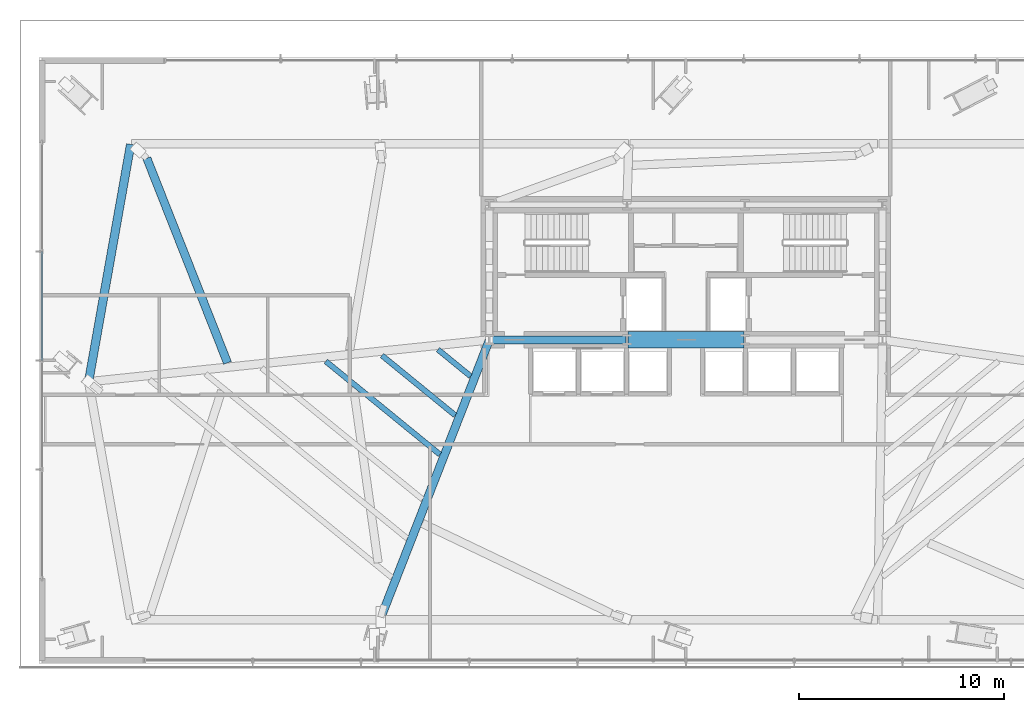
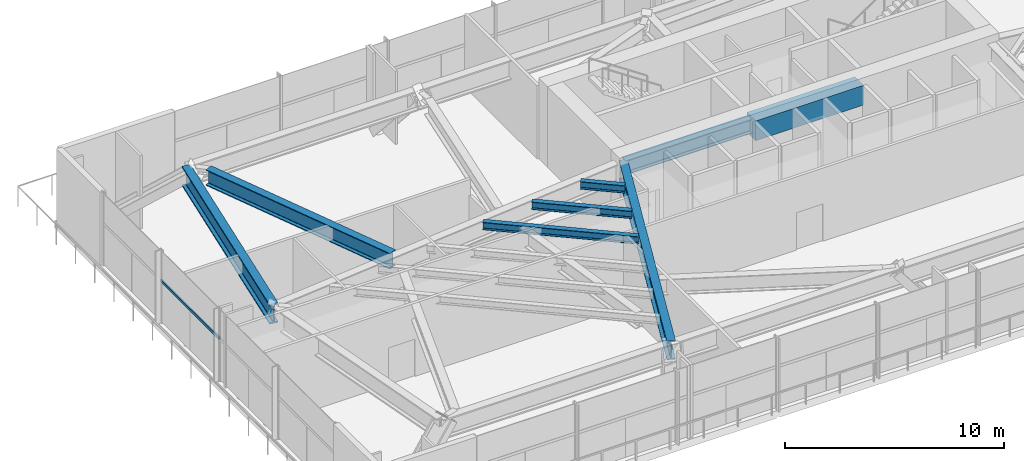
# One storey, part 7 of 29: 8 beams, 1 member, 1 element without a shape of its own.
"""IFC4 building model written with IfcOpenShell, lengths in metres."""

from ifc_helpers import new_model, si_unit, direction, frame, origin, origin_2d, place, context, subcontext, project, spatial, rectangle, hollow_rectangle, i_section, extrude, source, transform, mapped, material, material_profile, profile_set, type_object, type_shapes, element, aggregate, save


model = new_model("IFC4")

# Units and contexts
model_context = context("Model", 3, precision=1e-05, world=origin(), true_north=direction((0.0, 1.0)))
body_context = subcontext(model_context, "Body", "Model", "MODEL_VIEW")
ifc_project = project(units=[si_unit("LENGTHUNIT", "METRE"), si_unit("AREAUNIT", "SQUARE_METRE"), si_unit("VOLUMEUNIT", "CUBIC_METRE"), si_unit("PLANEANGLEUNIT", "RADIAN"), si_unit("MASSUNIT", "GRAM", prefix="KILO")], contexts=[model_context])

# Site, building, storey
site_placement = place(None, origin())
site = spatial("IfcSite", under=ifc_project, at=site_placement, CompositionType="ELEMENT")
building_placement = place(site_placement, origin())
building = spatial("IfcBuilding", under=site, at=building_placement, Name="Astriad Promenade Condominiums", CompositionType="ELEMENT")
storey_placement = place(building_placement, frame((0.0, 0.0, 18.5)))
storey = spatial("IfcBuildingStorey", under=building, at=storey_placement, Name="L04", CompositionType="ELEMENT", Elevation=18.5)

# Beams
ifc_material_1 = material(Name="Steel ASTM A992 Grade 50", Category="steel")
ifc_material_profile_1 = material_profile(ifc_material_1, i_section(OverallWidth=0.3837890625, OverallDepth=0.785888671875, WebThickness=0.019775390625, FlangeThickness=0.033447265625, FilletRadius=0.021484375, at=origin_2d()), Name="W30X211")
ifc_profile_set_1 = profile_set([ifc_material_profile_1], Name="Steel ASTM A992 Grade 50")
beam_type_1 = type_object("IfcBeamType", Name="STEEL FLOOR GIRDER W30X211", PredefinedType="BEAM", material=ifc_profile_set_1)
shared_shape_1 = source(origin(), body_context, "Body", "SweptSolid", [
    extrude(i_section(OverallWidth=0.3837890625, OverallDepth=0.785888671875, WebThickness=0.019775390625, FlangeThickness=0.033447265625, FilletRadius=0.021484375, at=origin_2d()), origin(), (0.0, 0.0, 1.0), 6.64013671875),
])
type_shapes(beam_type_1, [shared_shape_1])
beam_1_placement = place(storey_placement, frame((26.43994140625, 17.39990234375, 3.68701171875), z_axis=(1.0, 0.0, 0.0), x_axis=(0.0, 1.0, 0.0)))
element("IfcBeam", 1, at=beam_1_placement, inside=storey, type_object=beam_type_1, Name="Core Ring Beam CG-S1-L04", PredefinedType="BEAM", context=body_context, shape_type="MappedRepresentation", body=[
    mapped(shared_shape_1, transform((0.0, 0.0, 0.0), scale=1.0)),
])
ifc_material_2 = material(Name="Concrete C80/95", Category="concrete")
ifc_material_profile_2 = material_profile(ifc_material_2, rectangle(XDim=0.800048828125, YDim=1.10009765625, at=origin_2d()), Name="RC-BM-800X1100")
ifc_profile_set_2 = profile_set([ifc_material_profile_2], Name="Concrete C80/95")
beam_type_2 = type_object("IfcBeamType", Name="CONCRETE CORE COUPLING LINTEL 800X1100", PredefinedType="LINTEL", material=ifc_profile_set_2)
shared_shape_2 = source(origin(), body_context, "Body", "SweptSolid", [
    extrude(rectangle(XDim=0.800048828125, YDim=1.10009765625, at=origin_2d()), origin(), (0.0, 0.0, 1.0), 5.68017578125),
])
type_shapes(beam_type_2, [shared_shape_2])
beam_2_placement = place(storey_placement, frame((33.159912109375, 17.39990234375, 3.530029296875), z_axis=(1.0, 0.0, 0.0), x_axis=(0.0, 1.0, 0.0)))
element("IfcBeam", 2, at=beam_2_placement, inside=storey, type_object=beam_type_2, Name="Core Ring Beam CG-S2-L04", PredefinedType="LINTEL", context=body_context, shape_type="MappedRepresentation", body=[
    mapped(shared_shape_2, transform((0.0, 0.0, 0.0), scale=1.0)),
])
ifc_material_profile_3 = material_profile(ifc_material_1, i_section(OverallWidth=0.4169921875, OverallDepth=1.093505859375, WebThickness=0.0390625, FlangeThickness=0.070068359375, FilletRadius=0.025390625, at=origin_2d()), Name="W40X503")
ifc_profile_set_3 = profile_set([ifc_material_profile_3], Name="Steel ASTM A992 Grade 50")
beam_type_3 = type_object("IfcBeamType", Name="STEEL TRANSFER GIRDER W40X503", PredefinedType="BEAM", material=ifc_profile_set_3)
shared_shape_3 = source(origin(), body_context, "Body", "SweptSolid", [
    extrude(i_section(OverallWidth=0.4169921875, OverallDepth=1.093505859375, WebThickness=0.0390625, FlangeThickness=0.070068359375, FilletRadius=0.025390625, at=origin_2d()), origin(), (0.0, 0.0, 1.0), 11.7294921875),
])
type_shapes(beam_type_3, [shared_shape_3])
beam_3_placement = place(storey_placement, frame((8.881103515625, 26.94970703125, 3.533203125), z_axis=(-0.17452621073, -0.984652528443, 0.0), x_axis=(0.984652528443, -0.17452621073, 0.0)))
element("IfcBeam", 3, at=beam_3_placement, inside=storey, type_object=beam_type_3, Name="Perimeter Spandrel Beam SP-W2-L04", PredefinedType="BEAM", context=body_context, shape_type="MappedRepresentation", body=[
    mapped(shared_shape_3, transform((0.0, 0.0, 0.0), scale=1.0)),
])
ifc_material_profile_4 = material_profile(ifc_material_1, i_section(OverallWidth=0.404052734375, OverallDepth=1.046142578125, WebThickness=0.025390625, FlangeThickness=0.0458984375, FilletRadius=0.025390625, at=origin_2d()), Name="W40X324")
ifc_profile_set_4 = profile_set([ifc_material_profile_4], Name="Steel ASTM A992 Grade 50")
beam_type_4 = type_object("IfcBeamType", Name="STEEL TRANSFER GIRDER W40X324", PredefinedType="BEAM", material=ifc_profile_set_4)
shared_shape_4 = source(origin(), body_context, "Body", "SweptSolid", [
    extrude(i_section(OverallWidth=0.404052734375, OverallDepth=1.046142578125, WebThickness=0.025390625, FlangeThickness=0.0458984375, FilletRadius=0.025390625, at=origin_2d()), origin(), (0.0, 0.0, 1.0), 14.58740234375),
])
type_shapes(beam_type_4, [shared_shape_4])
beam_4_placement = place(storey_placement, frame((21.074951171875, 3.7763671875, 3.556884765625), z_axis=(0.36404972463, 0.931379513408, 0.0), x_axis=(-0.931379513408, 0.36404972463, 0.0)))
element("IfcBeam", 4, at=beam_4_placement, inside=storey, type_object=beam_type_4, Name="Primary Floor Girder PG-W2-L04", PredefinedType="BEAM", context=body_context, shape_type="MappedRepresentation", body=[
    mapped(shared_shape_4, transform((0.0, 0.0, 0.0), scale=1.0)),
])
ifc_material_profile_5 = material_profile(ifc_material_1, i_section(OverallWidth=0.26318359375, OverallDepth=0.425537109375, WebThickness=0.01318359375, FlangeThickness=0.022216796875, FilletRadius=0.013916015625, at=origin_2d()), Name="W16X89")
ifc_profile_set_5 = profile_set([ifc_material_profile_5], Name="Steel ASTM A992 Grade 50")
beam_type_5 = type_object("IfcBeamType", Name="STEEL FLOOR JOIST W16X89", PredefinedType="JOIST", material=ifc_profile_set_5)
shared_shape_5 = source(origin(), body_context, "Body", "SweptSolid", [
    extrude(i_section(OverallWidth=0.26318359375, OverallDepth=0.425537109375, WebThickness=0.01318359375, FlangeThickness=0.022216796875, FilletRadius=0.013916015625, at=origin_2d()), origin(), (0.0, 0.0, 1.0), 7.194091796875),
])
beam_5_placement = place(storey_placement, frame((18.41259765625, 16.35302734375, 3.8671875), z_axis=(0.774588929496, -0.632465011129, 0.0), x_axis=(0.632465011129, 0.774588929496, 0.0)))
element("IfcBeam", 5, at=beam_5_placement, inside=storey, type_object=beam_type_5, Name="Secondary Composite Floor Joist JW1-4-L04", PredefinedType="JOIST", context=body_context, shape_type="MappedRepresentation", body=[
    mapped(shared_shape_5, transform((0.0, 0.0, 0.0), scale=1.0)),
])
shared_shape_6 = source(origin(), body_context, "Body", "SweptSolid", [
    extrude(i_section(OverallWidth=0.26318359375, OverallDepth=0.425537109375, WebThickness=0.01318359375, FlangeThickness=0.022216796875, FilletRadius=0.013916015625, at=origin_2d()), origin(), (0.0, 0.0, 1.0), 4.62255859375),
])
beam_6_placement = place(storey_placement, frame((21.152099609375, 16.63916015625, 3.8671875), z_axis=(0.77458991232, -0.632463807448, 0.0), x_axis=(0.632463807448, 0.77458991232, 0.0)))
element("IfcBeam", 6, at=beam_6_placement, inside=storey, type_object=beam_type_5, Name="Secondary Composite Floor Joist JW1-5-L04", PredefinedType="JOIST", context=body_context, shape_type="MappedRepresentation", body=[
    mapped(shared_shape_6, transform((0.0, 0.0, 0.0), scale=1.0)),
])
shared_shape_7 = source(origin(), body_context, "Body", "SweptSolid", [
    extrude(i_section(OverallWidth=0.26318359375, OverallDepth=0.425537109375, WebThickness=0.01318359375, FlangeThickness=0.022216796875, FilletRadius=0.013916015625, at=origin_2d()), origin(), (0.0, 0.0, 1.0), 2.051025390625),
])
type_shapes(beam_type_5, [shared_shape_5, shared_shape_6, shared_shape_7])
beam_7_placement = place(storey_placement, frame((23.8916015625, 16.92529296875, 3.8671875), z_axis=(0.774593359837, -0.632459585188, 0.0), x_axis=(0.632459585188, 0.774593359837, 0.0)))
element("IfcBeam", 7, at=beam_7_placement, inside=storey, type_object=beam_type_5, Name="Secondary Composite Floor Joist JW1-6-L04", PredefinedType="JOIST", context=body_context, shape_type="MappedRepresentation", body=[
    mapped(shared_shape_7, transform((0.0, 0.0, 0.0), scale=1.0)),
])
ifc_material_profile_6 = material_profile(ifc_material_1, i_section(OverallWidth=0.4013671875, OverallDepth=0.877197265625, WebThickness=0.022216796875, FlangeThickness=0.039794921875, FilletRadius=0.02294921875, at=origin_2d()), Name="W33X263")
ifc_profile_set_6 = profile_set([ifc_material_profile_6], Name="Steel ASTM A992 Grade 50")
beam_type_6 = type_object("IfcBeamType", Name="STEEL TRANSFER CARRIER GIRDER W33X263", PredefinedType="BEAM", material=ifc_profile_set_6)
shared_shape_8 = source(origin(), body_context, "Body", "SweptSolid", [
    extrude(i_section(OverallWidth=0.4013671875, OverallDepth=0.877197265625, WebThickness=0.022216796875, FlangeThickness=0.039794921875, FilletRadius=0.02294921875, at=origin_2d()), origin(), (0.0, 0.0, 1.0), 10.73974609375),
])
type_shapes(beam_type_6, [shared_shape_8])
beam_8_placement = place(storey_placement, frame((13.611083984375, 16.2802734375, 3.641357421875), z_axis=(-0.366835778925, 0.930285714875, 0.0), x_axis=(-0.930285714875, -0.366835778925, 0.0)))
element("IfcBeam", 8, at=beam_8_placement, inside=storey, type_object=beam_type_6, Name="Transfer Splice Carrier TRM-SP-PC06-L04", PredefinedType="BEAM", context=body_context, shape_type="MappedRepresentation", body=[
    mapped(shared_shape_8, transform((0.0, 0.0, 0.0), scale=1.0)),
])

# Curtain wall, member
ifc_material_3 = material(Name="Anodised aluminium Black Dark Glass Unitised", Category="aluminium")
curtain_wall_type = type_object("IfcCurtainWallType", Name="CW-POD-DARK", PredefinedType="USERDEFINED", material=ifc_material_3)
curtain_wall_placement = place(storey_placement, origin())
curtain_wall = element("IfcCurtainWall", 9, at=curtain_wall_placement, inside=storey, type_object=curtain_wall_type, Name="CW-L04-W", ObjectType="UNITISED_CURTAIN_WALL", PredefinedType="USERDEFINED")
ifc_material_4 = material(Name="Anodised aluminium 6063-T6 Black", Category="aluminium")
ifc_material_profile_7 = material_profile(ifc_material_4, hollow_rectangle(XDim=0.074951171875, YDim=0.14990234375, WallThickness=0.004150390625, at=origin_2d()), Name="ALU-TRN-75X150")
ifc_profile_set_7 = profile_set([ifc_material_profile_7], Name="Anodised aluminium 6063-T6 Black")
member_type = type_object("IfcMemberType", Name="TRN-ALU-TRN-75X150", PredefinedType="USERDEFINED", material=ifc_profile_set_7)
shared_shape_9 = source(origin(), body_context, "Body", "SweptSolid", [
    extrude(hollow_rectangle(XDim=0.074951171875, YDim=0.14990234375, WallThickness=0.004150390625, at=origin_2d()), origin(), (0.0, 0.0, 1.0), 5.3251953125),
])
type_shapes(member_type, [shared_shape_9])
member_placement = place(storey_placement, frame((4.550048828125, 16.39990234375, 2.35009765625), z_axis=(0.0, 1.0, 0.0), x_axis=(-1.0, 0.0, 0.0)))
member = element("IfcMember", 10, at=member_placement, type_object=member_type, Name="CW-L04-W-TRN-02-0", ObjectType="TRANSOM", PredefinedType="USERDEFINED", context=body_context, shape_type="MappedRepresentation", body=[
    mapped(shared_shape_9, transform((0.0, 0.0, 0.0), scale=1.0)),
])
aggregate(curtain_wall, [member])

save(model, "model.ifc")
